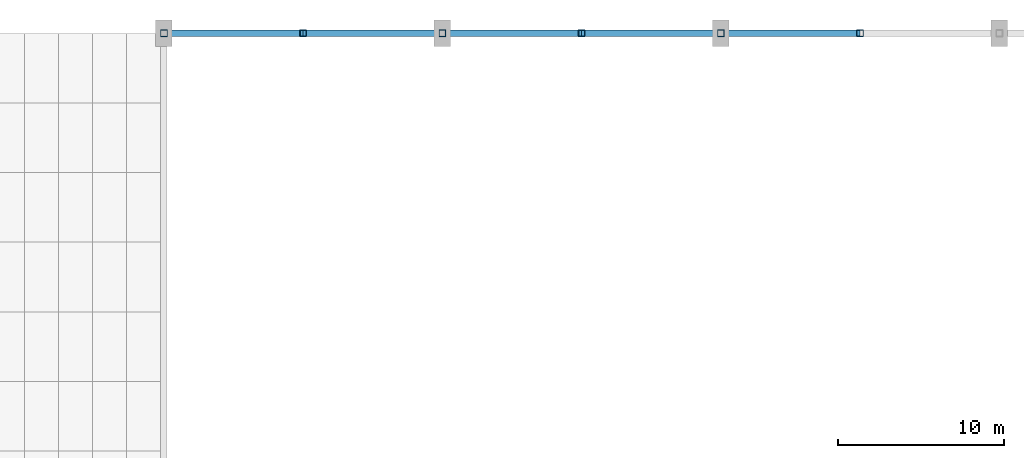
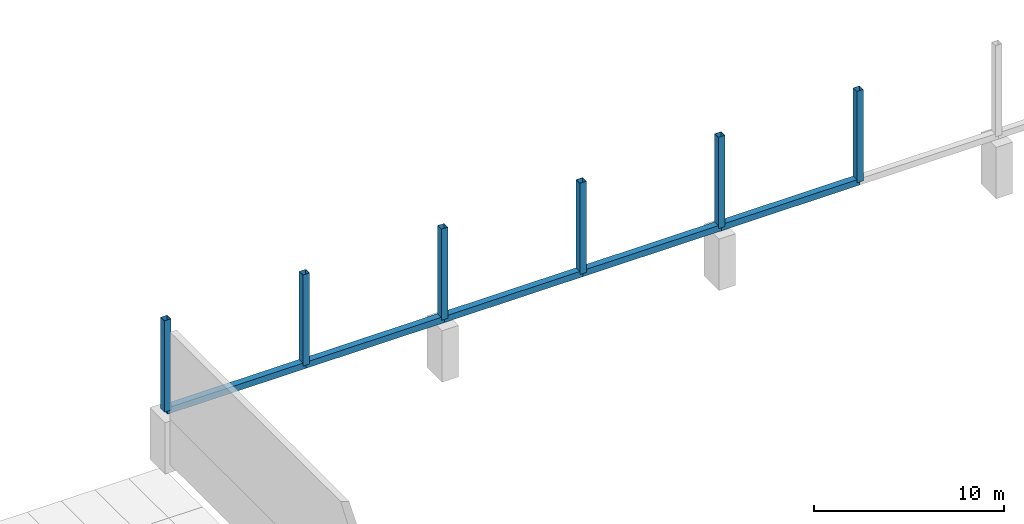
# One storey, part 61 of 163: 11 members.
"""IFC4 building model written with IfcOpenShell, lengths in metres."""

from ifc_helpers import new_model, si_unit, direction, frame, origin, origin_2d, place, context, subcontext, project, spatial, hollow_rectangle, extrude, material, material_profile, profile_set, type_object, element, save


model = new_model("IFC4")

# Units and contexts
model_context = context("Model", 3, precision=1e-05, world=origin(), true_north=direction((0.0, 1.0)))
body_context = subcontext(model_context, "Body", "Model", "MODEL_VIEW")
ifc_project = project(units=[si_unit("LENGTHUNIT", "METRE"), si_unit("AREAUNIT", "SQUARE_METRE"), si_unit("VOLUMEUNIT", "CUBIC_METRE"), si_unit("PLANEANGLEUNIT", "RADIAN"), si_unit("MASSUNIT", "GRAM", prefix="KILO")], contexts=[model_context])

# Site, building, storey
site_placement = place(None, origin())
site = spatial("IfcSite", under=ifc_project, at=site_placement, CompositionType="ELEMENT")
building_placement = place(site_placement, origin())
building = spatial("IfcBuilding", under=site, at=building_placement, Name="Rain Tree Exposition and Congress Centre", CompositionType="ELEMENT")
storey_placement = place(building_placement, frame((0.0, 0.0, 10.5)))
storey = spatial("IfcBuildingStorey", under=building, at=storey_placement, Name="L02", CompositionType="ELEMENT", Elevation=10.5)

# Members
ifc_material_1 = material(Name="Steel S355J2H", Category="steel")
ifc_material_profile_1 = material_profile(ifc_material_1, hollow_rectangle(XDim=0.39990234375, YDim=0.39990234375, WallThickness=0.011962890625, at=origin_2d()), Name="RHS 400x400x12")
ifc_profile_set_1 = profile_set([ifc_material_profile_1], Name="Steel S355J2H")
member_type_1 = type_object("IfcMemberType", Name="Steel chord member RHS 400x400x12", PredefinedType="CHORD", material=ifc_profile_set_1)
member_1_placement = place(storey_placement, frame((142.800048828125, 201.60009765625, 3.5), z_axis=(1.0, 0.0, 0.0), x_axis=(0.0, 1.0, 0.0)))
element("IfcMember", 1, at=member_1_placement, inside=storey, type_object=member_type_1, Name="Eaves chord 1178", PredefinedType="CHORD", context=body_context, shape_type="SweptSolid", body=[
    extrude(hollow_rectangle(XDim=0.39990234375, YDim=0.39990234375, WallThickness=0.011962890625, at=origin_2d()), origin(), (0.0, 0.0, 1.0), 8.39990234375),
])
member_2_placement = place(storey_placement, frame((151.199951171875, 201.60009765625, 3.5), z_axis=(1.0, 0.0, 0.0), x_axis=(0.0, 1.0, 0.0)))
element("IfcMember", 2, at=member_2_placement, inside=storey, type_object=member_type_1, Name="Eaves chord 1179", PredefinedType="CHORD", context=body_context, shape_type="SweptSolid", body=[
    extrude(hollow_rectangle(XDim=0.39990234375, YDim=0.39990234375, WallThickness=0.011962890625, at=origin_2d()), origin(), (0.0, 0.0, 1.0), 8.400146484375),
])
for number, where, z_axis, x_axis, name in (
    (3, (159.60009765625, 201.60009765625, 3.5), (1.0, 0.0, 0.0), (0.0, 1.0, 0.0), "Eaves chord 1180"),
    (4, (168.0, 201.60009765625, 3.5), (1.0, 0.0, 0.0), (0.0, 1.0, 0.0), "Eaves chord 1181"),
):
    element("IfcMember", number, at=place(storey_placement, frame(where, z_axis=z_axis, x_axis=x_axis)), inside=storey, type_object=member_type_1, Name=name, PredefinedType="CHORD", context=body_context, shape_type="SweptSolid", body=[
        extrude(hollow_rectangle(XDim=0.39990234375, YDim=0.39990234375, WallThickness=0.011962890625, at=origin_2d()), origin(), (0.0, 0.0, 1.0), 8.39990234375),
    ])
member_3_placement = place(storey_placement, frame((176.39990234375, 201.60009765625, 3.5), z_axis=(1.0, 0.0, 0.0), x_axis=(0.0, 1.0, 0.0)))
element("IfcMember", 5, at=member_3_placement, inside=storey, type_object=member_type_1, Name="Eaves chord 1182", PredefinedType="CHORD", context=body_context, shape_type="SweptSolid", body=[
    extrude(hollow_rectangle(XDim=0.39990234375, YDim=0.39990234375, WallThickness=0.011962890625, at=origin_2d()), origin(), (0.0, 0.0, 1.0), 8.400146484375),
])
ifc_material_2 = material(Name="Steel S355J2H", Category="steel")
ifc_material_profile_2 = material_profile(ifc_material_2, hollow_rectangle(XDim=0.39990234375, YDim=0.39990234375, WallThickness=0.011962890625, at=origin_2d()), Name="RHS 400x400x12")
ifc_profile_set_2 = profile_set([ifc_material_profile_2], Name="Steel S355J2H")
member_type_2 = type_object("IfcMemberType", Name="Steel post member RHS 400x400x12", PredefinedType="POST", material=ifc_profile_set_2)
for number, where, z_axis, x_axis, name in (
    (6, (142.800048828125, 201.60009765625, 3.5), (0.0, 0.0, 1.0), (1.0, 0.0, 0.0), "Eaves post 1190"),
    (7, (151.199951171875, 201.60009765625, 3.5), (0.0, 0.0, 1.0), (1.0, 0.0, 0.0), "Eaves post 1191"),
    (8, (159.60009765625, 201.60009765625, 3.5), (0.0, 0.0, 1.0), (1.0, 0.0, 0.0), "Eaves post 1192"),
    (9, (168.0, 201.60009765625, 3.5), (0.0, 0.0, 1.0), (1.0, 0.0, 0.0), "Eaves post 1193"),
    (10, (176.39990234375, 201.60009765625, 3.5), (0.0, 0.0, 1.0), (1.0, 0.0, 0.0), "Eaves post 1194"),
    (11, (184.800048828125, 201.60009765625, 3.5), (0.0, 0.0, 1.0), (1.0, 0.0, 0.0), "Eaves post 1195"),
):
    element("IfcMember", number, at=place(storey_placement, frame(where, z_axis=z_axis, x_axis=x_axis)), inside=storey, type_object=member_type_2, Name=name, PredefinedType="POST", context=body_context, shape_type="SweptSolid", body=[
        extrude(hollow_rectangle(XDim=0.39990234375, YDim=0.39990234375, WallThickness=0.011962890625, at=origin_2d()), origin(), (0.0, 0.0, 1.0), 5.85009765625),
    ])

save(model, "model.ifc")
